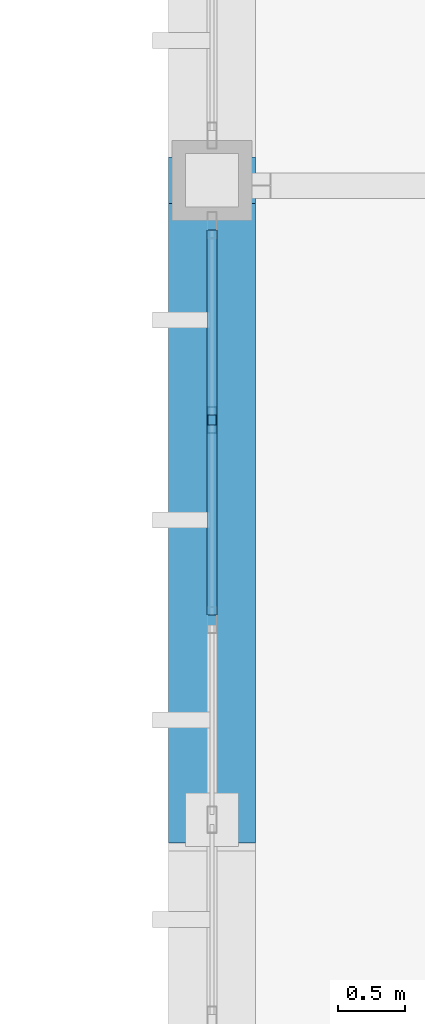
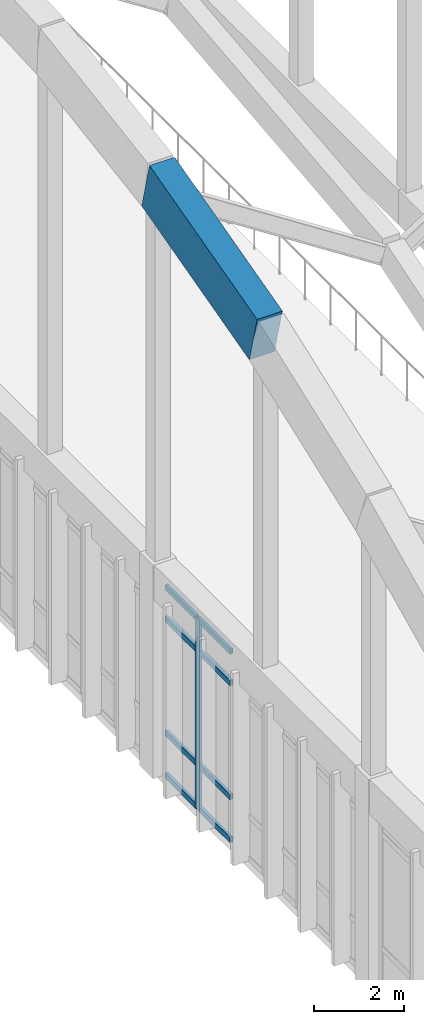
# One storey, part 36 of 236: 10 members, 1 element without a shape of its own.
"""IFC4 building model written with IfcOpenShell, lengths in metres."""

from ifc_helpers import new_model, si_unit, direction, frame, origin, origin_2d, place, context, subcontext, project, spatial, rectangle, hollow_rectangle, extrude, material, layer, layer_set, material_profile, profile_set, type_object, element, aggregate, save


model = new_model("IFC4")

# Units and contexts
model_context = context("Model", 3, precision=1e-05, world=origin(), true_north=direction((0.0, 1.0)))
body_context = subcontext(model_context, "Body", "Model", "MODEL_VIEW")
ifc_project = project(units=[si_unit("LENGTHUNIT", "METRE"), si_unit("AREAUNIT", "SQUARE_METRE"), si_unit("VOLUMEUNIT", "CUBIC_METRE"), si_unit("PLANEANGLEUNIT", "RADIAN"), si_unit("MASSUNIT", "GRAM", prefix="KILO")], contexts=[model_context])

# Site, building, storey
site_placement = place(None, origin())
site = spatial("IfcSite", under=ifc_project, at=site_placement, CompositionType="ELEMENT")
building_placement = place(site_placement, origin())
building = spatial("IfcBuilding", under=site, at=building_placement, Name="Pandanus Reach Market Hall", CompositionType="ELEMENT")
storey_placement = place(building_placement, frame((0.0, 0.0, 5.39990234375)))
storey = spatial("IfcBuildingStorey", under=building, at=storey_placement, Name="L01", CompositionType="ELEMENT", Elevation=5.39990234375)

# Member
ifc_material_1 = material(Name="Concrete N50 (50 MPa)", Category="concrete")
ifc_material_profile_1 = material_profile(ifc_material_1, rectangle(XDim=0.64990234375, YDim=1.35009765625, at=origin_2d()), Name="RC650x1350", Category="LoadBearing")
ifc_profile_set_1 = profile_set([ifc_material_profile_1], Name="Concrete N50 (50 MPa)")
member_type_1 = type_object("IfcMemberType", Name="AR-RC650-E", PredefinedType="CHORD", material=ifc_profile_set_1)
member_1_placement = place(storey_placement, frame((48.0, 43.199951171875, 14.68017578125), z_axis=(0.0, 0.966344166189, 0.257252701584), x_axis=(-1.0, 0.0, 0.0)))
element("IfcMember", 1, at=member_1_placement, inside=storey, type_object=member_type_1, Name="Parabolic arch top chord A1.4", PredefinedType="CHORD", context=body_context, shape_type="SweptSolid", body=[
    extrude(rectangle(XDim=0.64990234375, YDim=1.35009765625, at=origin_2d()), origin(), (0.0, 0.0, 1.0), 4.96728515625),
])

# Curtain wall, members
ifc_material_2 = material(Name="Bronze anodised aluminium and low-E glass", Category="aluminium")
ifc_layer = layer(ifc_material_2, 0.199951171875, Name="CW-05")
ifc_layer_set = layer_set([ifc_layer], Name="Bronze anodised aluminium and low-E glass")
curtain_wall_type = type_object("IfcCurtainWallType", Name="CW-05", PredefinedType="NOTDEFINED", material=ifc_layer_set)
curtain_wall_placement = place(storey_placement, origin())
curtain_wall = element("IfcCurtainWall", 2, at=curtain_wall_placement, inside=storey, type_object=curtain_wall_type, Name="Glazed curtain wall CW-05 CW-0022", PredefinedType="NOTDEFINED")
ifc_material_3 = material(Name="Bronze anodised aluminium", Category="aluminium")
ifc_material_profile_2 = material_profile(ifc_material_3, hollow_rectangle(XDim=0.074951171875, YDim=0.199951171875, WallThickness=0.00439453125, at=origin_2d()), Name="ALU75x200", Category="LoadBearing")
ifc_profile_set_2 = profile_set([ifc_material_profile_2], Name="Bronze anodised aluminium")
member_type_2 = type_object("IfcMemberType", Name="CW-M2", PredefinedType="MULLION", material=ifc_profile_set_2)
member_2_placement = place(storey_placement, frame((48.0, 46.199951171875, 0.0), z_axis=(0.0, 0.0, 1.0), x_axis=(-1.0, 0.0, 0.0)))
member_2 = element("IfcMember", 3, at=member_2_placement, type_object=member_type_2, Name="CW-05 mullion 6", PredefinedType="MULLION", context=body_context, shape_type="SweptSolid", body=[
    extrude(hollow_rectangle(XDim=0.074951171875, YDim=0.199951171875, WallThickness=0.00439453125, at=origin_2d()), origin(), (0.0, 0.0, 1.0), 5.2001953125),
])
ifc_material_profile_3 = material_profile(ifc_material_3, hollow_rectangle(XDim=0.074951171875, YDim=0.14990234375, WallThickness=0.00439453125, at=origin_2d()), Name="ALU75x150", Category="LoadBearing")
ifc_profile_set_3 = profile_set([ifc_material_profile_3], Name="Bronze anodised aluminium")
member_type_3 = type_object("IfcMemberType", Name="CW-T2", PredefinedType="USERDEFINED", material=ifc_profile_set_3)
member_3_placement = place(storey_placement, frame((48.0, 44.737548828125, 0.03759765625), z_axis=(0.0, 1.0, 0.0), x_axis=(-1.0, 0.0, 0.0)))
member_3 = element("IfcMember", 4, at=member_3_placement, type_object=member_type_3, Name="CW-05 transom 5.1", ObjectType="TRANSOM", PredefinedType="USERDEFINED", context=body_context, shape_type="SweptSolid", body=[
    extrude(hollow_rectangle(XDim=0.074951171875, YDim=0.14990234375, WallThickness=0.00439453125, at=origin_2d()), origin(), (0.0, 0.0, 1.0), 1.425048828125),
])
member_4_placement = place(storey_placement, frame((48.0, 44.737548828125, 1.2001953125), z_axis=(0.0, 1.0, 0.0), x_axis=(-1.0, 0.0, 0.0)))
member_4 = element("IfcMember", 5, at=member_4_placement, type_object=member_type_3, Name="CW-05 transom 5.2", ObjectType="TRANSOM", PredefinedType="USERDEFINED", context=body_context, shape_type="SweptSolid", body=[
    extrude(hollow_rectangle(XDim=0.074951171875, YDim=0.14990234375, WallThickness=0.00439453125, at=origin_2d()), origin(), (0.0, 0.0, 1.0), 1.425048828125),
])
member_5_placement = place(storey_placement, frame((48.0, 44.737548828125, 4.300048828125), z_axis=(0.0, 1.0, 0.0), x_axis=(-1.0, 0.0, 0.0)))
member_5 = element("IfcMember", 6, at=member_5_placement, type_object=member_type_3, Name="CW-05 transom 5.3", ObjectType="TRANSOM", PredefinedType="USERDEFINED", context=body_context, shape_type="SweptSolid", body=[
    extrude(hollow_rectangle(XDim=0.074951171875, YDim=0.14990234375, WallThickness=0.00439453125, at=origin_2d()), origin(), (0.0, 0.0, 1.0), 1.425048828125),
])
member_6_placement = place(storey_placement, frame((48.0, 44.737548828125, 5.16259765625), z_axis=(0.0, 1.0, 0.0), x_axis=(-1.0, 0.0, 0.0)))
member_6 = element("IfcMember", 7, at=member_6_placement, type_object=member_type_3, Name="CW-05 transom 5.4", ObjectType="TRANSOM", PredefinedType="USERDEFINED", context=body_context, shape_type="SweptSolid", body=[
    extrude(hollow_rectangle(XDim=0.074951171875, YDim=0.14990234375, WallThickness=0.00439453125, at=origin_2d()), origin(), (0.0, 0.0, 1.0), 1.425048828125),
])
member_7_placement = place(storey_placement, frame((48.0, 46.237548828125, 0.03759765625), z_axis=(0.0, 1.0, 0.0), x_axis=(-1.0, 0.0, 0.0)))
member_7 = element("IfcMember", 8, at=member_7_placement, type_object=member_type_3, Name="CW-05 transom 6.1", ObjectType="TRANSOM", PredefinedType="USERDEFINED", context=body_context, shape_type="SweptSolid", body=[
    extrude(hollow_rectangle(XDim=0.074951171875, YDim=0.14990234375, WallThickness=0.00439453125, at=origin_2d()), origin(), (0.0, 0.0, 1.0), 1.387451171875),
])
member_8_placement = place(storey_placement, frame((48.0, 46.237548828125, 1.2001953125), z_axis=(0.0, 1.0, 0.0), x_axis=(-1.0, 0.0, 0.0)))
member_8 = element("IfcMember", 9, at=member_8_placement, type_object=member_type_3, Name="CW-05 transom 6.2", ObjectType="TRANSOM", PredefinedType="USERDEFINED", context=body_context, shape_type="SweptSolid", body=[
    extrude(hollow_rectangle(XDim=0.074951171875, YDim=0.14990234375, WallThickness=0.00439453125, at=origin_2d()), origin(), (0.0, 0.0, 1.0), 1.387451171875),
])
member_9_placement = place(storey_placement, frame((48.0, 46.237548828125, 4.300048828125), z_axis=(0.0, 1.0, 0.0), x_axis=(-1.0, 0.0, 0.0)))
member_9 = element("IfcMember", 10, at=member_9_placement, type_object=member_type_3, Name="CW-05 transom 6.3", ObjectType="TRANSOM", PredefinedType="USERDEFINED", context=body_context, shape_type="SweptSolid", body=[
    extrude(hollow_rectangle(XDim=0.074951171875, YDim=0.14990234375, WallThickness=0.00439453125, at=origin_2d()), origin(), (0.0, 0.0, 1.0), 1.387451171875),
])
member_10_placement = place(storey_placement, frame((48.0, 46.237548828125, 5.16259765625), z_axis=(0.0, 1.0, 0.0), x_axis=(-1.0, 0.0, 0.0)))
member_10 = element("IfcMember", 11, at=member_10_placement, type_object=member_type_3, Name="CW-05 transom 6.4", ObjectType="TRANSOM", PredefinedType="USERDEFINED", context=body_context, shape_type="SweptSolid", body=[
    extrude(hollow_rectangle(XDim=0.074951171875, YDim=0.14990234375, WallThickness=0.00439453125, at=origin_2d()), origin(), (0.0, 0.0, 1.0), 1.387451171875),
])
aggregate(curtain_wall, [member_2, member_3, member_4, member_5, member_6, member_7, member_8, member_9, member_10])

save(model, "model.ifc")
